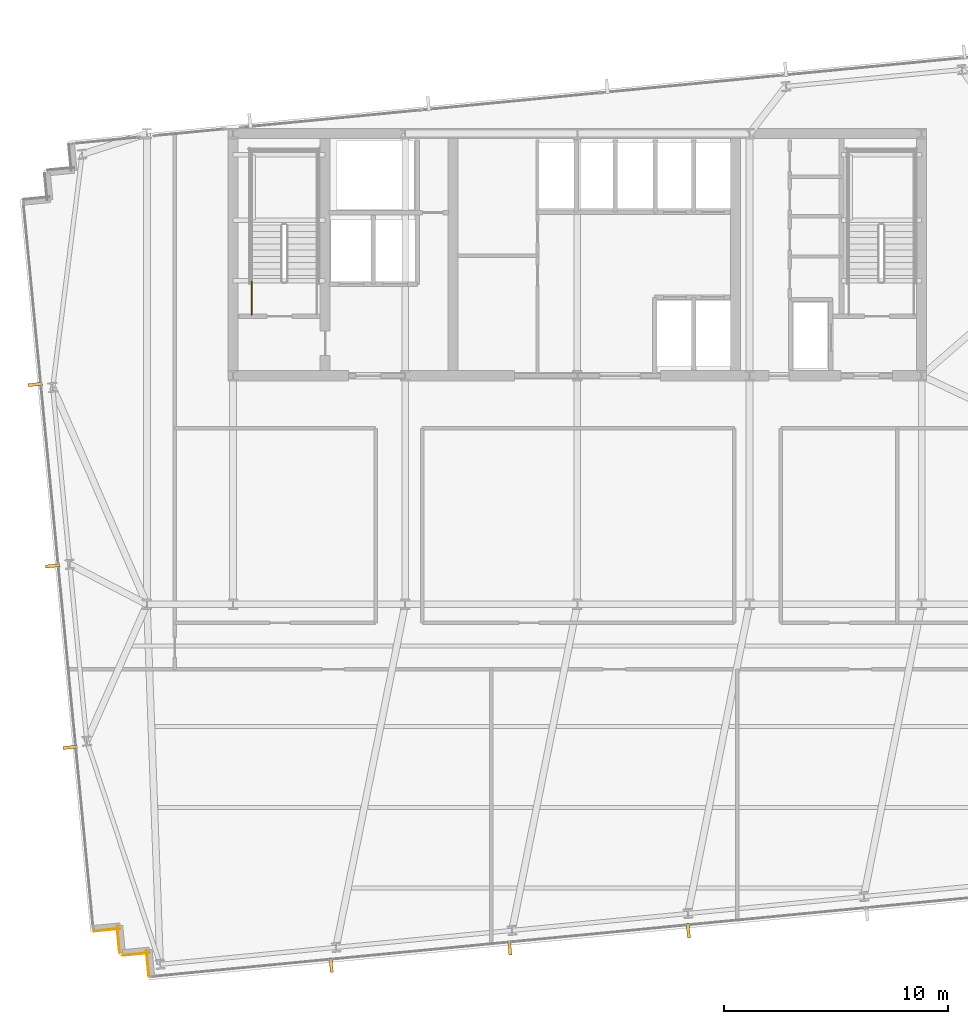
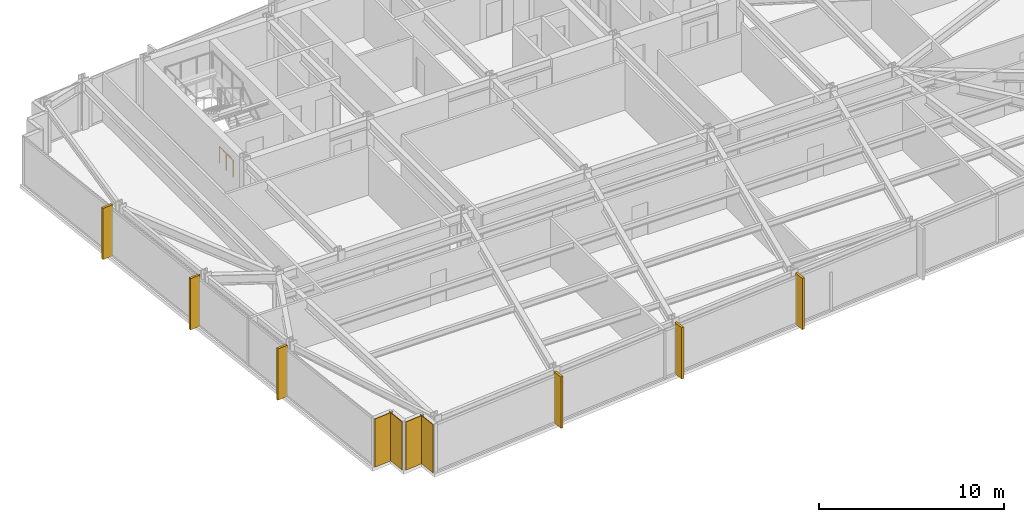
# One storey, part 27 of 32: 6 shading devices, 4 coverings, 1 railing.
"""IFC4 building model written with IfcOpenShell, lengths in metres."""

from ifc_helpers import new_model, si_unit, direction, frame, frame_2d, origin, origin_2d, place, context, subcontext, project, spatial, rectangle, circle, extrude, material, layer, layer_set, type_object, element, save


model = new_model("IFC4")

# Units and contexts
model_context = context("Model", 3, precision=1e-05, world=origin(), true_north=direction((0.0, 1.0)))
body_context = subcontext(model_context, "Body", "Model", "MODEL_VIEW")
ifc_project = project(units=[si_unit("LENGTHUNIT", "METRE"), si_unit("AREAUNIT", "SQUARE_METRE"), si_unit("VOLUMEUNIT", "CUBIC_METRE"), si_unit("PLANEANGLEUNIT", "RADIAN"), si_unit("MASSUNIT", "GRAM", prefix="KILO")], contexts=[model_context])

# Site, building, storey
site_placement = place(None, origin())
site = spatial("IfcSite", under=ifc_project, at=site_placement, CompositionType="ELEMENT")
building_placement = place(site_placement, origin())
building = spatial("IfcBuilding", under=site, at=building_placement, Name="Yelkora Congress Tower", CompositionType="ELEMENT")
storey_placement = place(building_placement, frame((0.0, 0.0, 99.89990234375)))
storey = spatial("IfcBuildingStorey", under=building, at=storey_placement, Name="L26", CompositionType="ELEMENT", Elevation=99.89990234375)

# Coverings
ifc_material_1 = material(Name="Anatolian bush-hammered limestone", Category="masonry")
ifc_layer_1 = layer(ifc_material_1, 0.0400390625)
ifc_layer_set_1 = layer_set([ifc_layer_1], Name="Anatolian bush-hammered limestone")
covering_type = type_object("IfcCoveringType", Name="COV-CLAD-SPANDREL-40", PredefinedType="CLADDING", material=ifc_layer_set_1)
covering_1_placement = place(storey_placement, frame((19.29248046875, 8.58447265625, 0.0), z_axis=(0.0, 0.0, 1.0), x_axis=(-0.095836473879, 0.995397091755, 0.0)))
element("IfcCovering", 1, at=covering_1_placement, inside=storey, type_object=covering_type, Name="L26 Anatolian Limestone Cladding EW-L26-SR01", PredefinedType="CLADDING", context=body_context, shape_type="SweptSolid", body=[
    extrude(rectangle(XDim=1.199951171875, YDim=0.0400390625, at=frame_2d((0.60009765625, 0.0))), origin(), (0.0, 0.0, 1.0), 3.18017578125),
])
for number, where, z_axis, x_axis, name in (
    (2, (19.32470703125, 9.657470703125, 0.0), (0.0, 0.0, 1.0), (-0.995398960025, -0.095817067274, 0.0), "L26 Anatolian Limestone Cladding EW-L26-SR02"),
    (3, (17.98291015625, 9.663818359375, 0.0), (0.0, 0.0, 1.0), (-0.095817067274, 0.995398960025, 0.0), "L26 Anatolian Limestone Cladding EW-L26-SR03"),
):
    element("IfcCovering", number, at=place(storey_placement, frame(where, z_axis=z_axis, x_axis=x_axis)), inside=storey, type_object=covering_type, Name=name, PredefinedType="CLADDING", context=body_context, shape_type="SweptSolid", body=[
        extrude(rectangle(XDim=1.2001953125, YDim=0.0400390625, at=frame_2d((0.60009765625, 0.0))), origin(), (0.0, 0.0, 1.0), 3.18017578125),
    ])
covering_2_placement = place(storey_placement, frame((18.01513671875, 10.737060546875, 0.0), z_axis=(0.0, 0.0, 1.0), x_axis=(-0.995397091755, -0.095836473879, 0.0)))
element("IfcCovering", 4, at=covering_2_placement, inside=storey, type_object=covering_type, Name="L26 Anatolian Limestone Cladding EW-L26-SR04", PredefinedType="CLADDING", context=body_context, shape_type="SweptSolid", body=[
    extrude(rectangle(XDim=1.199951171875, YDim=0.0400390625, at=frame_2d((0.60009765625, 0.0))), origin(), (0.0, 0.0, 1.0), 3.18017578125),
])

# Railing
ifc_material_2 = material(Name="Painted galvanised steel stair well guard with vertical infill", Category="steel")
ifc_layer_2 = layer(ifc_material_2, 0.06005859375)
ifc_layer_set_2 = layer_set([ifc_layer_2], Name="Painted galvanised steel stair well guard with vertical infill")
railing_type = type_object("IfcRailingType", Name="RAIL-STAIR-GUARD-1120", PredefinedType="GUARDRAIL", material=ifc_layer_set_2)
railing_placement = place(storey_placement, frame((23.8701171875, 38.1201171875, 0.0)))
element("IfcRailing", 5, at=railing_placement, inside=storey, type_object=railing_type, Name="ST-01 L26 Stair Well Guardrail 9", PredefinedType="GUARDRAIL", context=body_context, shape_type="SweptSolid", body=[
    extrude(circle(Radius=0.02392578125, at=origin_2d()), frame((0.0, 0.0, 1.09619140625), z_axis=(0.0, 1.0, 0.0), x_axis=(-1.0, 0.0, 0.0)), (0.0, 0.0, 1.0), 1.47998046875),
    extrude(circle(Radius=0.02099609375, at=origin_2d()), origin(), (0.0, 0.0, 1.0), 1.072021484375),
    extrude(circle(Radius=0.02099609375, at=origin_2d()), frame((0.0, 0.739990234375, 0.0)), (0.0, 0.0, 1.0), 1.072021484375),
    extrude(circle(Radius=0.02099609375, at=origin_2d()), frame((0.0, 1.47998046875, 0.0)), (0.0, 0.0, 1.0), 1.072021484375),
])

# Shading devices
ifc_material_3 = material(Name="Champagne anodised aluminium", Category="aluminium")
ifc_layer_3 = layer(ifc_material_3, 3.39990234375)
ifc_layer_set_3 = layer_set([ifc_layer_3], Name="Champagne anodised aluminium")
shading_device_type = type_object("IfcShadingDeviceType", Name="SHD-FIN-ALU-640", PredefinedType="USERDEFINED", material=ifc_layer_set_3)
for number, where, z_axis, x_axis, name in (
    (6, (15.769775390625, 18.823974609375, -0.02978515625), (0.0, 0.0, 1.0), (-0.09584575252, 0.995396198367, 0.0), "L26 Vertical Anodised Solar Fin 5-1"),
    (7, (14.990478515625, 26.91650390625, -0.02978515625), (0.0, 0.0, 1.0), (-0.09584575252, 0.995396198367, 0.0), "L26 Vertical Anodised Solar Fin 5-2"),
    (8, (14.211181640625, 35.00927734375, -0.02978515625), (0.0, 0.0, 1.0), (-0.09584575252, 0.995396198367, 0.0), "L26 Vertical Anodised Solar Fin 5-3"),
    (9, (43.349609375, 10.639892578125, -0.02978515625), (0.0, 0.0, 1.0), (-0.995396198367, -0.09584575252, 0.0), "L26 Vertical Anodised Solar Fin 20-4"),
    (10, (35.3837890625, 9.872802734375, -0.02978515625), (0.0, 0.0, 1.0), (-0.995396198367, -0.09584575252, 0.0), "L26 Vertical Anodised Solar Fin 20-5"),
    (11, (27.417724609375, 9.105712890625, -0.02978515625), (0.0, 0.0, 1.0), (-0.995396198367, -0.09584575252, 0.0), "L26 Vertical Anodised Solar Fin 20-6"),
):
    element("IfcShadingDevice", number, at=place(storey_placement, frame(where, z_axis=z_axis, x_axis=x_axis)), inside=storey, type_object=shading_device_type, Name=name, ObjectType="FIN", PredefinedType="USERDEFINED", context=body_context, shape_type="SweptSolid", body=[
        extrude(rectangle(XDim=0.139892578125, YDim=0.639892578125, at=origin_2d()), origin(), (0.0, 0.0, 1.0), 3.3798828125),
    ])

save(model, "model.ifc")
